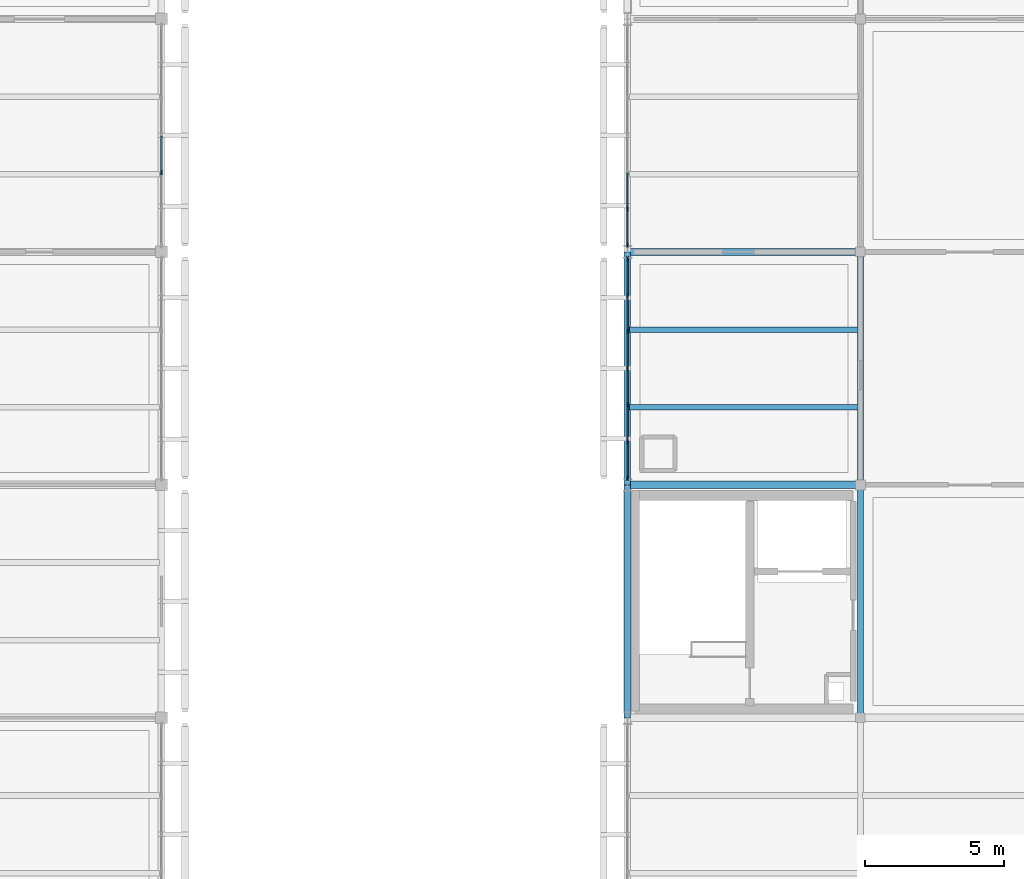
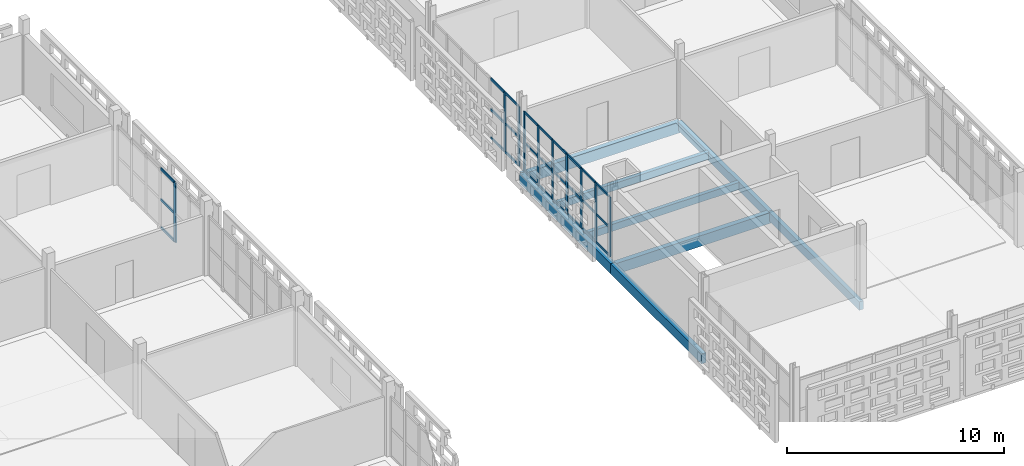
# One storey, part 49 of 140: 37 members, 8 beams, 3 elements without a shape of their own.
"""IFC4 building model written with IfcOpenShell, lengths in metres."""

import ifcopenshell
import ifcopenshell.guid

model = None  # the IFC model being written
_history = None  # IfcOwnerHistory: only IFC2X3 demands one
_inside = {}  # id of a spatial element -> (the spatial element, [elements in it])
_under = {}  # id of a project, library or spatial element -> (it, [spatial elements below it])
_declared = {}  # id of a project -> (the project, [libraries it declares])
_typed = {}  # id of a type object -> (the type object, [elements of that type])
_made_of = {}  # id of a material, layer set ... -> (it, [elements and type objects made of it])


def new_model(schema):
    """Start an empty IFC model of exactly this schema.

    Asked for "IFC4X3", IfcOpenShell would pick the latest addendum, in which some entities
    have other attributes; the version numbers below select the first issue.
    IFC2X3 requires an IfcOwnerHistory on every rooted entity: one is made here for all.
    """
    global model, _history
    if schema == "IFC4X3":
        model = ifcopenshell.file(schema_version=(4, 3, 0, 0))
    else:
        model = ifcopenshell.file(schema=schema)
    _inside.clear()
    _under.clear()
    _declared.clear()
    _typed.clear()
    _made_of.clear()
    _history = None
    if model.schema == "IFC2X3":
        org = make("IfcOrganization", Name="unknown")
        user = make(
            "IfcPersonAndOrganization",
            ThePerson=make("IfcPerson", FamilyName="unknown"),
            TheOrganization=org,
        )
        app = make(
            "IfcApplication",
            ApplicationDeveloper=org,
            Version="unknown",
            ApplicationFullName="unknown",
            ApplicationIdentifier="unknown",
        )
        _history = make(
            "IfcOwnerHistory",
            OwningUser=user,
            OwningApplication=app,
            ChangeAction="ADDED",
            CreationDate=0,
        )
    return model


def make(cls, **values):
    """One entity of the class cls with the attributes given. An attribute that is None is left unset."""
    return model.create_entity(
        cls, **{name: value for name, value in values.items() if value is not None}
    )


def rooted(cls, **values):
    """An entity with a GlobalId (a new one), such as an element, a storey or a relation."""
    return make(cls, GlobalId=ifcopenshell.guid.new(), OwnerHistory=_history, **values)


def si_unit(unit_type, name, prefix=None):
    """IfcSIUnit, for example si_unit("LENGTHUNIT", "METRE", prefix="MILLI")."""
    return make("IfcSIUnit", UnitType=unit_type, Prefix=prefix, Name=name)


def assignment(units):
    """IfcUnitAssignment: the units of a project."""
    return None if units is None else make("IfcUnitAssignment", Units=units)


def point(xyz):
    """IfcCartesianPoint."""
    return None if xyz is None else make("IfcCartesianPoint", Coordinates=xyz)


def direction(xyz):
    """IfcDirection."""
    return None if xyz is None else make("IfcDirection", DirectionRatios=xyz)


def frame(location, z_axis=None, x_axis=None):
    """IfcAxis2Placement3D, a coordinate frame: its origin and axes. An axis left out is left unset."""
    return make(
        "IfcAxis2Placement3D",
        Location=point(location),
        Axis=direction(z_axis),
        RefDirection=direction(x_axis),
    )


def frame_2d(location, x_axis=None):
    """IfcAxis2Placement2D, a coordinate frame in the plane: its origin and x axis."""
    return make(
        "IfcAxis2Placement2D", Location=point(location), RefDirection=direction(x_axis)
    )


def origin():
    """The frame at (0, 0, 0) with its axes left unset."""
    return frame((0.0, 0.0, 0.0))


def origin_2d():
    """The frame at (0, 0) in the plane with its x axis left unset."""
    return frame_2d((0.0, 0.0))


def place(relative_to, where):
    """IfcLocalPlacement: puts the frame where relative to a parent placement (None: the world)."""
    return make(
        "IfcLocalPlacement", PlacementRelTo=relative_to, RelativePlacement=where
    )


def context(
    kind, dimensions, precision=None, world=None, true_north=None, identifier=None
):
    """IfcGeometricRepresentationContext, for example the 3D "Model" context."""
    return make(
        "IfcGeometricRepresentationContext",
        ContextIdentifier=identifier,
        ContextType=kind,
        CoordinateSpaceDimension=dimensions,
        Precision=precision,
        WorldCoordinateSystem=world,
        TrueNorth=true_north,
    )


def subcontext(parent, identifier, kind, view, scale=None):
    """IfcGeometricRepresentationSubContext, for example "Body" below "Model"."""
    return make(
        "IfcGeometricRepresentationSubContext",
        ContextIdentifier=identifier,
        ContextType=kind,
        ParentContext=parent,
        TargetScale=scale,
        TargetView=view,
    )


def project(units=None, contexts=None):
    """IfcProject with its units and contexts."""
    return rooted(
        "IfcProject",
        Name="project",
        RepresentationContexts=contexts,
        UnitsInContext=assignment(units),
    )


def spatial(cls, under=None, at=None, **own):
    """A site, building, storey or space (cls), placed at a placement, below another one or the project."""
    s = rooted(cls, ObjectPlacement=at, **own)
    if under is not None:
        _under.setdefault(under.id(), (under, []))[1].append(s)
    return s


def profile(cls, at=None, kind="AREA", **sizes):
    """A parametric profile (cls). Its sizes go by their IFC names, for example OverallWidth=200.0."""
    return make(cls, ProfileType=kind, Position=at, **sizes)


def rectangle(**sizes):
    """IfcRectangleProfileDef."""
    return profile("IfcRectangleProfileDef", **sizes)


def extrude(swept, where, along, depth):
    """IfcExtrudedAreaSolid: the profile swept, set in the frame where, extruded along a direction by depth."""
    return make(
        "IfcExtrudedAreaSolid",
        SweptArea=swept,
        Position=where,
        ExtrudedDirection=direction(along),
        Depth=depth,
    )


def shape(context_of_items, identifier, shape_type, items):
    """IfcShapeRepresentation: the items that make up one representation, for example the "Body"."""
    return make(
        "IfcShapeRepresentation",
        ContextOfItems=context_of_items,
        RepresentationIdentifier=identifier,
        RepresentationType=shape_type,
        Items=items,
    )


def material(Name=None, Category=None):
    """IfcMaterial."""
    return make("IfcMaterial", Name=Name, Category=Category)


def layer(
    of_material, thickness, ventilated=None, Name=None, Category=None, Priority=None
):
    """IfcMaterialLayer: one layer of a wall or slab, of a material (None: an air gap)."""
    return make(
        "IfcMaterialLayer",
        Material=of_material,
        LayerThickness=thickness,
        IsVentilated=ventilated,
        Name=Name,
        Category=Category,
        Priority=Priority,
    )


def layer_set(layers, Name=None):
    """IfcMaterialLayerSet."""
    return make("IfcMaterialLayerSet", MaterialLayers=layers, LayerSetName=Name)


def material_profile(
    of_material, cross_section, Name=None, Category=None, Priority=None
):
    """IfcMaterialProfile: a cross section and its material."""
    return make(
        "IfcMaterialProfile",
        Name=Name,
        Material=of_material,
        Profile=cross_section,
        Priority=Priority,
        Category=Category,
    )


def profile_set(profiles, Name=None, composite=None):
    """IfcMaterialProfileSet."""
    return make(
        "IfcMaterialProfileSet",
        Name=Name,
        MaterialProfiles=profiles,
        CompositeProfile=composite,
    )


def made_of(thing, what):
    """Note that an element or type object is made of a material, layer set ...; save() writes the relation."""
    if what is not None:
        _made_of.setdefault(what.id(), (what, []))[1].append(thing)
    return thing


def type_object(cls, material=None, **own):
    """A type object (cls), such as IfcWallType, which elements share."""
    return made_of(rooted(cls, **own), material)


def element(
    cls,
    number,
    at=None,
    inside=None,
    cuts=None,
    type_object=None,
    material=None,
    context=None,
    identifier="Body",
    shape_type=None,
    held_by="IfcProductDefinitionShape",
    body=None,
    shapes=None,
    **own,
):
    """One element of the class cls, such as IfcWall. Its Tag is "e" and its number.

    at: its placement. inside: the storey or other place that contains it. cuts: it is an
    opening in that element (IfcRelVoidsElement). A single representation is given by context,
    identifier, shape_type and body (its items); several are given by shapes. held_by: the class
    of the entity that holds the representations. save() writes the other relations.
    """
    e = rooted(cls, Tag="e%d" % number, ObjectPlacement=at, **own)
    if body is not None:
        shapes = [shape(context, identifier, shape_type, body)]
    if shapes is not None:
        e.Representation = make(held_by, Representations=shapes)
    if inside is not None:
        _inside.setdefault(inside.id(), (inside, []))[1].append(e)
    if cuts is not None:
        rooted(
            "IfcRelVoidsElement", RelatingBuildingElement=cuts, RelatedOpeningElement=e
        )
    if type_object is not None:
        _typed.setdefault(type_object.id(), (type_object, []))[1].append(e)
    return made_of(e, material)


def aggregate(whole, parts):
    """IfcRelAggregates: a whole, such as a stair, and the parts it consists of."""
    return rooted("IfcRelAggregates", RelatingObject=whole, RelatedObjects=parts)


def save(model, path):
    """Write the relations noted so far, then the file.

    IfcRelAggregates (storeys below a building ...), IfcRelContainedInSpatialStructure (elements
    in a storey), IfcRelDefinesByType, IfcRelAssociatesMaterial and IfcRelDeclares: one each for
    every whole, place, type object, material and project.
    """
    for whole, parts in _under.values():
        aggregate(whole, parts)
    for where, things in _inside.values():
        rooted(
            "IfcRelContainedInSpatialStructure",
            RelatedElements=things,
            RelatingStructure=where,
        )
    for kind, things in _typed.values():
        rooted("IfcRelDefinesByType", RelatedObjects=things, RelatingType=kind)
    for what, things in _made_of.values():
        rooted("IfcRelAssociatesMaterial", RelatedObjects=things, RelatingMaterial=what)
    for by, libraries in _declared.values():
        rooted("IfcRelDeclares", RelatingContext=by, RelatedDefinitions=libraries)
    model.write(path)


model = new_model("IFC4")

# Units and contexts
model_context = context("Model", 3, precision=1e-05, world=origin(), true_north=direction((0.0, 1.0)))
body_context = subcontext(model_context, "Body", "Model", "MODEL_VIEW")
ifc_project = project(units=[si_unit("LENGTHUNIT", "METRE"), si_unit("AREAUNIT", "SQUARE_METRE"), si_unit("VOLUMEUNIT", "CUBIC_METRE"), si_unit("PLANEANGLEUNIT", "RADIAN"), si_unit("MASSUNIT", "GRAM", prefix="KILO")], contexts=[model_context])

# Site, building, storey
site_placement = place(None, origin())
site = spatial("IfcSite", under=ifc_project, at=site_placement, CompositionType="ELEMENT")
building_placement = place(site_placement, origin())
building = spatial("IfcBuilding", under=site, at=building_placement, Name="Varnapada Polytechnic", CompositionType="ELEMENT")
storey_placement = place(building_placement, frame((0.0, 0.0, 13.800048828125)))
storey = spatial("IfcBuildingStorey", under=building, at=storey_placement, Name="L03", CompositionType="ELEMENT", Elevation=13.800048828125)

# Beams
ifc_material_1 = material(Name="Glulam GL32h", Category="wood")
ifc_material_profile_1 = material_profile(ifc_material_1, rectangle(XDim=0.199951171875, YDim=0.39990234375, at=origin_2d()), Name="GL 200x400")
ifc_profile_set_1 = profile_set([ifc_material_profile_1], Name="Glulam GL32h")
beam_type_1 = type_object("IfcBeamType", Name="Library/laboratory glulam floor joist GJ-01 (GL 200x400)", PredefinedType="JOIST", material=ifc_profile_set_1)
for number, where, z_axis, x_axis, name in (
    (1, (50.47998046875, 103.60009765625, -0.43994140625), (1.0, 0.0, 0.0), (0.0, 1.0, 0.0), "L03 floor joist 7/13.1"),
    (2, (50.47998046875, 106.39990234375, -0.43994140625), (1.0, 0.0, 0.0), (0.0, 1.0, 0.0), "L03 floor joist 7/13.2"),
):
    element("IfcBeam", number, at=place(storey_placement, frame(where, z_axis=z_axis, x_axis=x_axis)), inside=storey, type_object=beam_type_1, Name=name, PredefinedType="JOIST", context=body_context, shape_type="SweptSolid", body=[
        extrude(rectangle(XDim=0.199951171875, YDim=0.39990234375, at=origin_2d()), origin(), (0.0, 0.0, 1.0), 8.239990234375),
    ])

# Curtain wall, members
ifc_material_2 = material(Name="Double low-E laminated glass", Category="glass")
ifc_layer_1 = layer(ifc_material_2, 0.159912109375)
ifc_layer_set_1 = layer_set([ifc_layer_1], Name="Double low-E laminated glass")
curtain_wall_type_1 = type_object("IfcCurtainWallType", Name="Curtain Wall CW-02", PredefinedType="NOTDEFINED", material=ifc_layer_set_1)
curtain_wall_1_placement = place(storey_placement, origin())
curtain_wall_1 = element("IfcCurtainWall", 3, at=curtain_wall_1_placement, inside=storey, type_object=curtain_wall_type_1, Name="L03 unitised curtain wall CW-02 (227)", PredefinedType="NOTDEFINED")
ifc_material_3 = material(Name="Anodised aluminium", Category="aluminium")
ifc_material_profile_2 = material_profile(ifc_material_3, rectangle(XDim=0.06005859375, YDim=0.159912109375, at=origin_2d()), Name="ALU M60x160")
ifc_profile_set_2 = profile_set([ifc_material_profile_2], Name="Anodised aluminium")
member_type_1 = type_object("IfcMemberType", Name="Mullion M-01", PredefinedType="MULLION", material=ifc_profile_set_2)
member_1_placement = place(storey_placement, frame((50.39990234375, 101.054931640625, 0.0), z_axis=(0.0, 0.0, 1.0), x_axis=(-1.0, 0.0, 0.0)))
member_1 = element("IfcMember", 4, at=member_1_placement, type_object=member_type_1, Name="CW-02 mullion 1", PredefinedType="MULLION", context=body_context, shape_type="SweptSolid", body=[
    extrude(rectangle(XDim=0.06005859375, YDim=0.159912109375, at=origin_2d()), origin(), (0.0, 0.0, 1.0), 3.35986328125),
])
member_2_placement = place(storey_placement, frame((50.39990234375, 102.35009765625, 0.0), z_axis=(0.0, 0.0, 1.0), x_axis=(-1.0, 0.0, 0.0)))
member_2 = element("IfcMember", 5, at=member_2_placement, type_object=member_type_1, Name="CW-02 mullion 2", PredefinedType="MULLION", context=body_context, shape_type="SweptSolid", body=[
    extrude(rectangle(XDim=0.06005859375, YDim=0.159912109375, at=origin_2d()), origin(), (0.0, 0.0, 1.0), 3.35986328125),
])
member_3_placement = place(storey_placement, frame((50.39990234375, 103.675048828125, 0.0), z_axis=(0.0, 0.0, 1.0), x_axis=(-1.0, 0.0, 0.0)))
member_3 = element("IfcMember", 6, at=member_3_placement, type_object=member_type_1, Name="CW-02 mullion 3", PredefinedType="MULLION", context=body_context, shape_type="SweptSolid", body=[
    extrude(rectangle(XDim=0.06005859375, YDim=0.159912109375, at=origin_2d()), origin(), (0.0, 0.0, 1.0), 3.35986328125),
])
member_4_placement = place(storey_placement, frame((50.39990234375, 105.0, 0.0), z_axis=(0.0, 0.0, 1.0), x_axis=(-1.0, 0.0, 0.0)))
member_4 = element("IfcMember", 7, at=member_4_placement, type_object=member_type_1, Name="CW-02 mullion 4", PredefinedType="MULLION", context=body_context, shape_type="SweptSolid", body=[
    extrude(rectangle(XDim=0.06005859375, YDim=0.159912109375, at=origin_2d()), origin(), (0.0, 0.0, 1.0), 3.35986328125),
])
member_5_placement = place(storey_placement, frame((50.39990234375, 106.324951171875, 0.0), z_axis=(0.0, 0.0, 1.0), x_axis=(-1.0, 0.0, 0.0)))
member_5 = element("IfcMember", 8, at=member_5_placement, type_object=member_type_1, Name="CW-02 mullion 5", PredefinedType="MULLION", context=body_context, shape_type="SweptSolid", body=[
    extrude(rectangle(XDim=0.06005859375, YDim=0.159912109375, at=origin_2d()), origin(), (0.0, 0.0, 1.0), 3.35986328125),
])
member_6_placement = place(storey_placement, frame((50.39990234375, 107.64990234375, 0.0), z_axis=(0.0, 0.0, 1.0), x_axis=(-1.0, 0.0, 0.0)))
member_6 = element("IfcMember", 9, at=member_6_placement, type_object=member_type_1, Name="CW-02 mullion 6", PredefinedType="MULLION", context=body_context, shape_type="SweptSolid", body=[
    extrude(rectangle(XDim=0.06005859375, YDim=0.159912109375, at=origin_2d()), origin(), (0.0, 0.0, 1.0), 3.35986328125),
])
member_7_placement = place(storey_placement, frame((50.39990234375, 108.945068359375, 0.0), z_axis=(0.0, 0.0, 1.0), x_axis=(-1.0, 0.0, 0.0)))
member_7 = element("IfcMember", 10, at=member_7_placement, type_object=member_type_1, Name="CW-02 mullion 7", PredefinedType="MULLION", context=body_context, shape_type="SweptSolid", body=[
    extrude(rectangle(XDim=0.06005859375, YDim=0.159912109375, at=origin_2d()), origin(), (0.0, 0.0, 1.0), 3.35986328125),
])

curtain_wall_2_placement = place(storey_placement, origin())
curtain_wall_2 = element("IfcCurtainWall", 11, at=curtain_wall_2_placement, inside=storey, type_object=curtain_wall_type_1, Name="L03 unitised curtain wall CW-02 (228)", PredefinedType="NOTDEFINED")
member_8_placement = place(storey_placement, frame((50.39990234375, 109.455078125, 0.0), z_axis=(0.0, 0.0, 1.0), x_axis=(-1.0, 0.0, 0.0)))
member_8 = element("IfcMember", 12, at=member_8_placement, type_object=member_type_1, Name="CW-02 mullion 1", PredefinedType="MULLION", context=body_context, shape_type="SweptSolid", body=[
    extrude(rectangle(XDim=0.06005859375, YDim=0.159912109375, at=origin_2d()), origin(), (0.0, 0.0, 1.0), 3.35986328125),
])
member_9_placement = place(storey_placement, frame((50.39990234375, 110.75, 0.0), z_axis=(0.0, 0.0, 1.0), x_axis=(-1.0, 0.0, 0.0)))
member_9 = element("IfcMember", 13, at=member_9_placement, type_object=member_type_1, Name="CW-02 mullion 2", PredefinedType="MULLION", context=body_context, shape_type="SweptSolid", body=[
    extrude(rectangle(XDim=0.06005859375, YDim=0.159912109375, at=origin_2d()), origin(), (0.0, 0.0, 1.0), 3.35986328125),
])

# Curtain wall, member
ifc_layer_2 = layer(ifc_material_2, 0.179931640625)
ifc_layer_set_2 = layer_set([ifc_layer_2], Name="Double low-E laminated glass")
curtain_wall_type_2 = type_object("IfcCurtainWallType", Name="Curtain Wall CW-03", PredefinedType="NOTDEFINED", material=ifc_layer_set_2)
curtain_wall_3_placement = place(storey_placement, origin())
curtain_wall_3 = element("IfcCurtainWall", 14, at=curtain_wall_3_placement, inside=storey, type_object=curtain_wall_type_2, Name="L03 unitised curtain wall CW-03 (222)", PredefinedType="NOTDEFINED")
ifc_material_profile_3 = material_profile(ifc_material_3, rectangle(XDim=0.06494140625, YDim=0.179931640625, at=origin_2d()), Name="ALU M65x180")
ifc_profile_set_3 = profile_set([ifc_material_profile_3], Name="Anodised aluminium")
member_type_2 = type_object("IfcMemberType", Name="Mullion M-02", PredefinedType="MULLION", material=ifc_profile_set_3)
member_10_placement = place(storey_placement, frame((33.60009765625, 112.070068359375, 0.0), z_axis=(0.0, 0.0, 1.0), x_axis=(1.0, 0.0, 0.0)))
member_10 = element("IfcMember", 15, at=member_10_placement, type_object=member_type_2, Name="CW-03 mullion 5", PredefinedType="MULLION", context=body_context, shape_type="SweptSolid", body=[
    extrude(rectangle(XDim=0.06494140625, YDim=0.179931640625, at=origin_2d()), origin(), (0.0, 0.0, 1.0), 3.35986328125),
])

# Beams
ifc_material_profile_4 = material_profile(ifc_material_1, rectangle(XDim=0.239990234375, YDim=0.56005859375, at=origin_2d()), Name="GL 240x560")
ifc_profile_set_4 = profile_set([ifc_material_profile_4], Name="Glulam GL32h")
beam_type_2 = type_object("IfcBeamType", Name="Perimeter glulam spandrel beam SP-02 (GL 240x560)", PredefinedType="SPANDREL", material=ifc_profile_set_4)
beam_1_placement = place(storey_placement, frame((50.39990234375, 92.39990234375, -0.52001953125), z_axis=(0.0, 1.0, 0.0), x_axis=(-1.0, 0.0, 0.0)))
element("IfcBeam", 16, at=beam_1_placement, inside=storey, type_object=beam_type_2, Name="L03 beam Y 12-13 at X7", PredefinedType="SPANDREL", context=body_context, shape_type="SweptSolid", body=[
    extrude(rectangle(XDim=0.239990234375, YDim=0.56005859375, at=origin_2d()), origin(), (0.0, 0.0, 1.0), 8.400146484375),
])
beam_2_placement = place(storey_placement, frame((50.39990234375, 100.800048828125, -0.52001953125), z_axis=(0.0, 1.0, 0.0), x_axis=(-1.0, 0.0, 0.0)))
element("IfcBeam", 17, at=beam_2_placement, inside=storey, type_object=beam_type_2, Name="L03 beam Y 13-14 at X7", PredefinedType="SPANDREL", context=body_context, shape_type="SweptSolid", body=[
    extrude(rectangle(XDim=0.239990234375, YDim=0.56005859375, at=origin_2d()), origin(), (0.0, 0.0, 1.0), 8.39990234375),
])
ifc_material_profile_5 = material_profile(ifc_material_1, rectangle(XDim=0.260009765625, YDim=0.60009765625, at=origin_2d()), Name="GL 260x600")
ifc_profile_set_5 = profile_set([ifc_material_profile_5], Name="Glulam GL32h")
beam_type_3 = type_object("IfcBeamType", Name="Seminar wing glulam girder GG-05 (GL 260x600)", PredefinedType="BEAM", material=ifc_profile_set_5)
for number, where, z_axis, x_axis, name in (
    (18, (50.39990234375, 100.800048828125, -0.5400390625), (1.0, 0.0, 0.0), (0.0, 1.0, 0.0), "L03 beam X 7-8 at Y13"),
    (19, (50.39990234375, 109.199951171875, -0.5400390625), (1.0, 0.0, 0.0), (0.0, 1.0, 0.0), "L03 beam X 7-8 at Y14"),
):
    element("IfcBeam", number, at=place(storey_placement, frame(where, z_axis=z_axis, x_axis=x_axis)), inside=storey, type_object=beam_type_3, Name=name, PredefinedType="BEAM", context=body_context, shape_type="SweptSolid", body=[
        extrude(rectangle(XDim=0.260009765625, YDim=0.60009765625, at=origin_2d()), origin(), (0.0, 0.0, 1.0), 8.400146484375),
    ])

# Member
ifc_material_profile_6 = material_profile(ifc_material_3, rectangle(XDim=0.06005859375, YDim=0.1201171875, at=origin_2d()), Name="ALU T60x120")
ifc_profile_set_6 = profile_set([ifc_material_profile_6], Name="Anodised aluminium")
member_type_3 = type_object("IfcMemberType", Name="Transom T-01", PredefinedType="USERDEFINED", material=ifc_profile_set_6)
member_11_placement = place(storey_placement, frame((50.39990234375, 101.0849609375, 0.030029296875), z_axis=(0.0, 1.0, 0.0), x_axis=(-1.0, 0.0, 0.0)))
member_11 = element("IfcMember", 20, at=member_11_placement, type_object=member_type_3, Name="CW-02 transom 1.1", ObjectType="TRANSOM", PredefinedType="USERDEFINED", context=body_context, shape_type="SweptSolid", body=[
    extrude(rectangle(XDim=0.06005859375, YDim=0.1201171875, at=origin_2d()), origin(), (0.0, 0.0, 1.0), 1.235107421875),
])

member_12_placement = place(storey_placement, frame((50.39990234375, 101.0849609375, 1.61279296875), z_axis=(0.0, 1.0, 0.0), x_axis=(-1.0, 0.0, 0.0)))
member_12 = element("IfcMember", 21, at=member_12_placement, type_object=member_type_3, Name="CW-02 transom 1.2", ObjectType="TRANSOM", PredefinedType="USERDEFINED", context=body_context, shape_type="SweptSolid", body=[
    extrude(rectangle(XDim=0.06005859375, YDim=0.1201171875, at=origin_2d()), origin(), (0.0, 0.0, 1.0), 1.235107421875),
])

member_13_placement = place(storey_placement, frame((50.39990234375, 101.0849609375, 3.329833984375), z_axis=(0.0, 1.0, 0.0), x_axis=(-1.0, 0.0, 0.0)))
member_13 = element("IfcMember", 22, at=member_13_placement, type_object=member_type_3, Name="CW-02 transom 1.3", ObjectType="TRANSOM", PredefinedType="USERDEFINED", context=body_context, shape_type="SweptSolid", body=[
    extrude(rectangle(XDim=0.06005859375, YDim=0.1201171875, at=origin_2d()), origin(), (0.0, 0.0, 1.0), 1.235107421875),
])

member_14_placement = place(storey_placement, frame((50.39990234375, 102.3798828125, 0.030029296875), z_axis=(0.0, 1.0, 0.0), x_axis=(-1.0, 0.0, 0.0)))
member_14 = element("IfcMember", 23, at=member_14_placement, type_object=member_type_3, Name="CW-02 transom 2.1", ObjectType="TRANSOM", PredefinedType="USERDEFINED", context=body_context, shape_type="SweptSolid", body=[
    extrude(rectangle(XDim=0.06005859375, YDim=0.1201171875, at=origin_2d()), origin(), (0.0, 0.0, 1.0), 1.26513671875),
])

member_15_placement = place(storey_placement, frame((50.39990234375, 102.3798828125, 1.61279296875), z_axis=(0.0, 1.0, 0.0), x_axis=(-1.0, 0.0, 0.0)))
member_15 = element("IfcMember", 24, at=member_15_placement, type_object=member_type_3, Name="CW-02 transom 2.2", ObjectType="TRANSOM", PredefinedType="USERDEFINED", context=body_context, shape_type="SweptSolid", body=[
    extrude(rectangle(XDim=0.06005859375, YDim=0.1201171875, at=origin_2d()), origin(), (0.0, 0.0, 1.0), 1.26513671875),
])

member_16_placement = place(storey_placement, frame((50.39990234375, 102.3798828125, 3.329833984375), z_axis=(0.0, 1.0, 0.0), x_axis=(-1.0, 0.0, 0.0)))
member_16 = element("IfcMember", 25, at=member_16_placement, type_object=member_type_3, Name="CW-02 transom 2.3", ObjectType="TRANSOM", PredefinedType="USERDEFINED", context=body_context, shape_type="SweptSolid", body=[
    extrude(rectangle(XDim=0.06005859375, YDim=0.1201171875, at=origin_2d()), origin(), (0.0, 0.0, 1.0), 1.26513671875),
])

member_17_placement = place(storey_placement, frame((50.39990234375, 103.705078125, 0.030029296875), z_axis=(0.0, 1.0, 0.0), x_axis=(-1.0, 0.0, 0.0)))
member_17 = element("IfcMember", 26, at=member_17_placement, type_object=member_type_3, Name="CW-02 transom 3.1", ObjectType="TRANSOM", PredefinedType="USERDEFINED", context=body_context, shape_type="SweptSolid", body=[
    extrude(rectangle(XDim=0.06005859375, YDim=0.1201171875, at=origin_2d()), origin(), (0.0, 0.0, 1.0), 1.264892578125),
])

member_18_placement = place(storey_placement, frame((50.39990234375, 103.705078125, 1.61279296875), z_axis=(0.0, 1.0, 0.0), x_axis=(-1.0, 0.0, 0.0)))
member_18 = element("IfcMember", 27, at=member_18_placement, type_object=member_type_3, Name="CW-02 transom 3.2", ObjectType="TRANSOM", PredefinedType="USERDEFINED", context=body_context, shape_type="SweptSolid", body=[
    extrude(rectangle(XDim=0.06005859375, YDim=0.1201171875, at=origin_2d()), origin(), (0.0, 0.0, 1.0), 1.264892578125),
])

member_19_placement = place(storey_placement, frame((50.39990234375, 103.705078125, 3.329833984375), z_axis=(0.0, 1.0, 0.0), x_axis=(-1.0, 0.0, 0.0)))
member_19 = element("IfcMember", 28, at=member_19_placement, type_object=member_type_3, Name="CW-02 transom 3.3", ObjectType="TRANSOM", PredefinedType="USERDEFINED", context=body_context, shape_type="SweptSolid", body=[
    extrude(rectangle(XDim=0.06005859375, YDim=0.1201171875, at=origin_2d()), origin(), (0.0, 0.0, 1.0), 1.264892578125),
])

member_20_placement = place(storey_placement, frame((50.39990234375, 105.030029296875, 0.030029296875), z_axis=(0.0, 1.0, 0.0), x_axis=(-1.0, 0.0, 0.0)))
member_20 = element("IfcMember", 29, at=member_20_placement, type_object=member_type_3, Name="CW-02 transom 4.1", ObjectType="TRANSOM", PredefinedType="USERDEFINED", context=body_context, shape_type="SweptSolid", body=[
    extrude(rectangle(XDim=0.06005859375, YDim=0.1201171875, at=origin_2d()), origin(), (0.0, 0.0, 1.0), 1.264892578125),
])

member_21_placement = place(storey_placement, frame((50.39990234375, 105.030029296875, 1.61279296875), z_axis=(0.0, 1.0, 0.0), x_axis=(-1.0, 0.0, 0.0)))
member_21 = element("IfcMember", 30, at=member_21_placement, type_object=member_type_3, Name="CW-02 transom 4.2", ObjectType="TRANSOM", PredefinedType="USERDEFINED", context=body_context, shape_type="SweptSolid", body=[
    extrude(rectangle(XDim=0.06005859375, YDim=0.1201171875, at=origin_2d()), origin(), (0.0, 0.0, 1.0), 1.264892578125),
])

member_22_placement = place(storey_placement, frame((50.39990234375, 105.030029296875, 3.329833984375), z_axis=(0.0, 1.0, 0.0), x_axis=(-1.0, 0.0, 0.0)))
member_22 = element("IfcMember", 31, at=member_22_placement, type_object=member_type_3, Name="CW-02 transom 4.3", ObjectType="TRANSOM", PredefinedType="USERDEFINED", context=body_context, shape_type="SweptSolid", body=[
    extrude(rectangle(XDim=0.06005859375, YDim=0.1201171875, at=origin_2d()), origin(), (0.0, 0.0, 1.0), 1.264892578125),
])

member_23_placement = place(storey_placement, frame((50.39990234375, 106.35498046875, 0.030029296875), z_axis=(0.0, 1.0, 0.0), x_axis=(-1.0, 0.0, 0.0)))
member_23 = element("IfcMember", 32, at=member_23_placement, type_object=member_type_3, Name="CW-02 transom 5.1", ObjectType="TRANSOM", PredefinedType="USERDEFINED", context=body_context, shape_type="SweptSolid", body=[
    extrude(rectangle(XDim=0.06005859375, YDim=0.1201171875, at=origin_2d()), origin(), (0.0, 0.0, 1.0), 1.26513671875),
])

member_24_placement = place(storey_placement, frame((50.39990234375, 106.35498046875, 1.61279296875), z_axis=(0.0, 1.0, 0.0), x_axis=(-1.0, 0.0, 0.0)))
member_24 = element("IfcMember", 33, at=member_24_placement, type_object=member_type_3, Name="CW-02 transom 5.2", ObjectType="TRANSOM", PredefinedType="USERDEFINED", context=body_context, shape_type="SweptSolid", body=[
    extrude(rectangle(XDim=0.06005859375, YDim=0.1201171875, at=origin_2d()), origin(), (0.0, 0.0, 1.0), 1.26513671875),
])

member_25_placement = place(storey_placement, frame((50.39990234375, 106.35498046875, 3.329833984375), z_axis=(0.0, 1.0, 0.0), x_axis=(-1.0, 0.0, 0.0)))
member_25 = element("IfcMember", 34, at=member_25_placement, type_object=member_type_3, Name="CW-02 transom 5.3", ObjectType="TRANSOM", PredefinedType="USERDEFINED", context=body_context, shape_type="SweptSolid", body=[
    extrude(rectangle(XDim=0.06005859375, YDim=0.1201171875, at=origin_2d()), origin(), (0.0, 0.0, 1.0), 1.26513671875),
])

member_26_placement = place(storey_placement, frame((50.39990234375, 107.679931640625, 0.030029296875), z_axis=(0.0, 1.0, 0.0), x_axis=(-1.0, 0.0, 0.0)))
member_26 = element("IfcMember", 35, at=member_26_placement, type_object=member_type_3, Name="CW-02 transom 6.1", ObjectType="TRANSOM", PredefinedType="USERDEFINED", context=body_context, shape_type="SweptSolid", body=[
    extrude(rectangle(XDim=0.06005859375, YDim=0.1201171875, at=origin_2d()), origin(), (0.0, 0.0, 1.0), 1.235107421875),
])

member_27_placement = place(storey_placement, frame((50.39990234375, 107.679931640625, 1.61279296875), z_axis=(0.0, 1.0, 0.0), x_axis=(-1.0, 0.0, 0.0)))
member_27 = element("IfcMember", 36, at=member_27_placement, type_object=member_type_3, Name="CW-02 transom 6.2", ObjectType="TRANSOM", PredefinedType="USERDEFINED", context=body_context, shape_type="SweptSolid", body=[
    extrude(rectangle(XDim=0.06005859375, YDim=0.1201171875, at=origin_2d()), origin(), (0.0, 0.0, 1.0), 1.235107421875),
])

member_28_placement = place(storey_placement, frame((50.39990234375, 107.679931640625, 3.329833984375), z_axis=(0.0, 1.0, 0.0), x_axis=(-1.0, 0.0, 0.0)))
member_28 = element("IfcMember", 37, at=member_28_placement, type_object=member_type_3, Name="CW-02 transom 6.3", ObjectType="TRANSOM", PredefinedType="USERDEFINED", context=body_context, shape_type="SweptSolid", body=[
    extrude(rectangle(XDim=0.06005859375, YDim=0.1201171875, at=origin_2d()), origin(), (0.0, 0.0, 1.0), 1.235107421875),
])

aggregate(curtain_wall_1, [member_1, member_2, member_3, member_4, member_5, member_6, member_7, member_11, member_12, member_13, member_14, member_15, member_16, member_17, member_18, member_19, member_20, member_21, member_22, member_23, member_24, member_25, member_26, member_27, member_28])

member_29_placement = place(storey_placement, frame((50.39990234375, 109.485107421875, 0.030029296875), z_axis=(0.0, 1.0, 0.0), x_axis=(-1.0, 0.0, 0.0)))
member_29 = element("IfcMember", 38, at=member_29_placement, type_object=member_type_3, Name="CW-02 transom 1.1", ObjectType="TRANSOM", PredefinedType="USERDEFINED", context=body_context, shape_type="SweptSolid", body=[
    extrude(rectangle(XDim=0.06005859375, YDim=0.1201171875, at=origin_2d()), origin(), (0.0, 0.0, 1.0), 1.23486328125),
])

member_30_placement = place(storey_placement, frame((50.39990234375, 109.485107421875, 1.61279296875), z_axis=(0.0, 1.0, 0.0), x_axis=(-1.0, 0.0, 0.0)))
member_30 = element("IfcMember", 39, at=member_30_placement, type_object=member_type_3, Name="CW-02 transom 1.2", ObjectType="TRANSOM", PredefinedType="USERDEFINED", context=body_context, shape_type="SweptSolid", body=[
    extrude(rectangle(XDim=0.06005859375, YDim=0.1201171875, at=origin_2d()), origin(), (0.0, 0.0, 1.0), 1.23486328125),
])

member_31_placement = place(storey_placement, frame((50.39990234375, 109.485107421875, 3.329833984375), z_axis=(0.0, 1.0, 0.0), x_axis=(-1.0, 0.0, 0.0)))
member_31 = element("IfcMember", 40, at=member_31_placement, type_object=member_type_3, Name="CW-02 transom 1.3", ObjectType="TRANSOM", PredefinedType="USERDEFINED", context=body_context, shape_type="SweptSolid", body=[
    extrude(rectangle(XDim=0.06005859375, YDim=0.1201171875, at=origin_2d()), origin(), (0.0, 0.0, 1.0), 1.23486328125),
])

member_32_placement = place(storey_placement, frame((50.39990234375, 110.780029296875, 0.030029296875), z_axis=(0.0, 1.0, 0.0), x_axis=(-1.0, 0.0, 0.0)))
member_32 = element("IfcMember", 41, at=member_32_placement, type_object=member_type_3, Name="CW-02 transom 2.1", ObjectType="TRANSOM", PredefinedType="USERDEFINED", context=body_context, shape_type="SweptSolid", body=[
    extrude(rectangle(XDim=0.06005859375, YDim=0.1201171875, at=origin_2d()), origin(), (0.0, 0.0, 1.0), 1.264892578125),
])

member_33_placement = place(storey_placement, frame((50.39990234375, 110.780029296875, 1.61279296875), z_axis=(0.0, 1.0, 0.0), x_axis=(-1.0, 0.0, 0.0)))
member_33 = element("IfcMember", 42, at=member_33_placement, type_object=member_type_3, Name="CW-02 transom 2.2", ObjectType="TRANSOM", PredefinedType="USERDEFINED", context=body_context, shape_type="SweptSolid", body=[
    extrude(rectangle(XDim=0.06005859375, YDim=0.1201171875, at=origin_2d()), origin(), (0.0, 0.0, 1.0), 1.264892578125),
])

member_34_placement = place(storey_placement, frame((50.39990234375, 110.780029296875, 3.329833984375), z_axis=(0.0, 1.0, 0.0), x_axis=(-1.0, 0.0, 0.0)))
member_34 = element("IfcMember", 43, at=member_34_placement, type_object=member_type_3, Name="CW-02 transom 2.3", ObjectType="TRANSOM", PredefinedType="USERDEFINED", context=body_context, shape_type="SweptSolid", body=[
    extrude(rectangle(XDim=0.06005859375, YDim=0.1201171875, at=origin_2d()), origin(), (0.0, 0.0, 1.0), 1.264892578125),
])

aggregate(curtain_wall_2, [member_8, member_9, member_29, member_30, member_31, member_32, member_33, member_34])

ifc_material_profile_7 = material_profile(ifc_material_3, rectangle(XDim=0.06494140625, YDim=0.139892578125, at=origin_2d()), Name="ALU T65x140")
ifc_profile_set_7 = profile_set([ifc_material_profile_7], Name="Anodised aluminium")
member_type_4 = type_object("IfcMemberType", Name="Transom T-02", PredefinedType="USERDEFINED", material=ifc_profile_set_7)
member_35_placement = place(storey_placement, frame((33.60009765625, 113.367431640625, 0.032470703125), z_axis=(0.0, -1.0, 0.0), x_axis=(1.0, 0.0, 0.0)))
member_35 = element("IfcMember", 44, at=member_35_placement, type_object=member_type_4, Name="CW-03 transom 4.1", ObjectType="TRANSOM", PredefinedType="USERDEFINED", context=body_context, shape_type="SweptSolid", body=[
    extrude(rectangle(XDim=0.06494140625, YDim=0.139892578125, at=origin_2d()), origin(), (0.0, 0.0, 1.0), 1.264892578125),
])

member_36_placement = place(storey_placement, frame((33.60009765625, 113.367431640625, 1.61279296875), z_axis=(0.0, -1.0, 0.0), x_axis=(1.0, 0.0, 0.0)))
member_36 = element("IfcMember", 45, at=member_36_placement, type_object=member_type_4, Name="CW-03 transom 4.2", ObjectType="TRANSOM", PredefinedType="USERDEFINED", context=body_context, shape_type="SweptSolid", body=[
    extrude(rectangle(XDim=0.06494140625, YDim=0.139892578125, at=origin_2d()), origin(), (0.0, 0.0, 1.0), 1.264892578125),
])

member_37_placement = place(storey_placement, frame((33.60009765625, 113.367431640625, 3.327392578125), z_axis=(0.0, -1.0, 0.0), x_axis=(1.0, 0.0, 0.0)))
member_37 = element("IfcMember", 46, at=member_37_placement, type_object=member_type_4, Name="CW-03 transom 4.3", ObjectType="TRANSOM", PredefinedType="USERDEFINED", context=body_context, shape_type="SweptSolid", body=[
    extrude(rectangle(XDim=0.06494140625, YDim=0.139892578125, at=origin_2d()), origin(), (0.0, 0.0, 1.0), 1.264892578125),
])

aggregate(curtain_wall_3, [member_10, member_35, member_36, member_37])

# Beams
ifc_material_profile_8 = material_profile(ifc_material_1, rectangle(XDim=0.219970703125, YDim=0.47998046875, at=origin_2d()), Name="GL 220x480")
ifc_profile_set_8 = profile_set([ifc_material_profile_8], Name="Glulam GL32h")
beam_type_4 = type_object("IfcBeamType", Name="Upper floor glulam tie beam GB-11 (GL 220x480)", PredefinedType="BEAM", material=ifc_profile_set_8)
beam_3_placement = place(storey_placement, frame((58.800048828125, 92.39990234375, -0.47998046875), z_axis=(0.0, 1.0, 0.0), x_axis=(-1.0, 0.0, 0.0)))
element("IfcBeam", 47, at=beam_3_placement, inside=storey, type_object=beam_type_4, Name="L03 beam Y 12-13 at X8", PredefinedType="BEAM", context=body_context, shape_type="SweptSolid", body=[
    extrude(rectangle(XDim=0.219970703125, YDim=0.47998046875, at=origin_2d()), origin(), (0.0, 0.0, 1.0), 8.400146484375),
])
beam_4_placement = place(storey_placement, frame((58.800048828125, 100.800048828125, -0.47998046875), z_axis=(0.0, 1.0, 0.0), x_axis=(-1.0, 0.0, 0.0)))
element("IfcBeam", 48, at=beam_4_placement, inside=storey, type_object=beam_type_4, Name="L03 beam Y 13-14 at X8", PredefinedType="BEAM", context=body_context, shape_type="SweptSolid", body=[
    extrude(rectangle(XDim=0.219970703125, YDim=0.47998046875, at=origin_2d()), origin(), (0.0, 0.0, 1.0), 8.39990234375),
])

save(model, "model.ifc")
